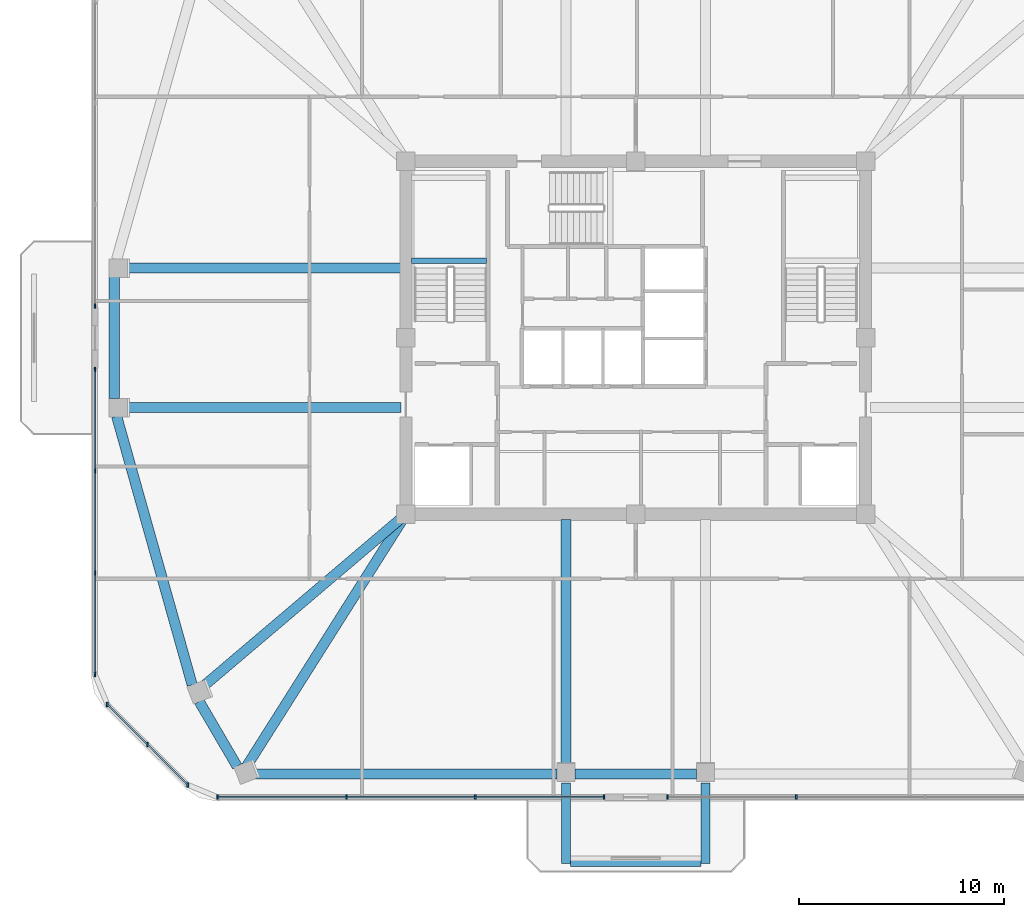
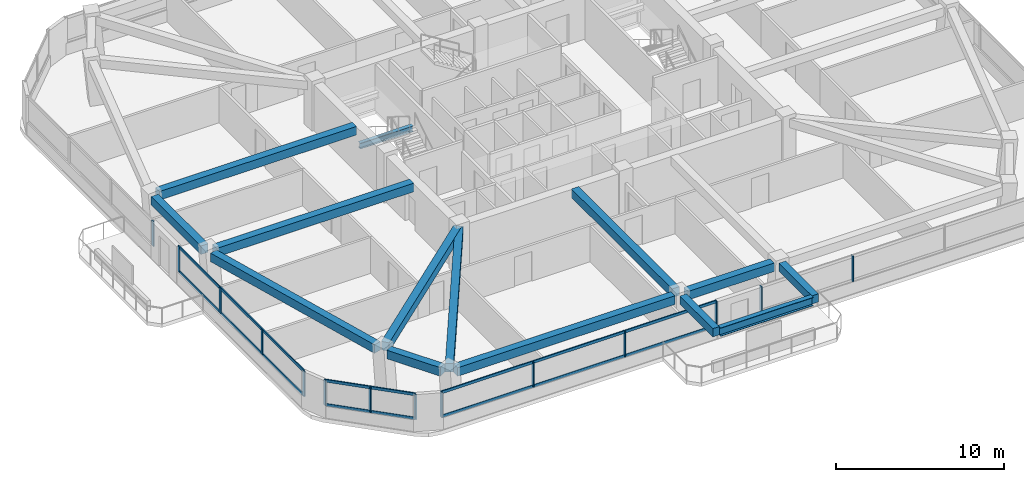
# One storey, part 2 of 13: 20 members, 14 beams, 5 elements without a shape of their own.
"""IFC4 building model written with IfcOpenShell, lengths in metres."""

import ifcopenshell
import ifcopenshell.guid

model = None  # the IFC model being written
_history = None  # IfcOwnerHistory: only IFC2X3 demands one
_inside = {}  # id of a spatial element -> (the spatial element, [elements in it])
_under = {}  # id of a project, library or spatial element -> (it, [spatial elements below it])
_declared = {}  # id of a project -> (the project, [libraries it declares])
_typed = {}  # id of a type object -> (the type object, [elements of that type])
_made_of = {}  # id of a material, layer set ... -> (it, [elements and type objects made of it])


def new_model(schema):
    """Start an empty IFC model of exactly this schema.

    Asked for "IFC4X3", IfcOpenShell would pick the latest addendum, in which some entities
    have other attributes; the version numbers below select the first issue.
    IFC2X3 requires an IfcOwnerHistory on every rooted entity: one is made here for all.
    """
    global model, _history
    if schema == "IFC4X3":
        model = ifcopenshell.file(schema_version=(4, 3, 0, 0))
    else:
        model = ifcopenshell.file(schema=schema)
    _inside.clear()
    _under.clear()
    _declared.clear()
    _typed.clear()
    _made_of.clear()
    _history = None
    if model.schema == "IFC2X3":
        org = make("IfcOrganization", Name="unknown")
        user = make(
            "IfcPersonAndOrganization",
            ThePerson=make("IfcPerson", FamilyName="unknown"),
            TheOrganization=org,
        )
        app = make(
            "IfcApplication",
            ApplicationDeveloper=org,
            Version="unknown",
            ApplicationFullName="unknown",
            ApplicationIdentifier="unknown",
        )
        _history = make(
            "IfcOwnerHistory",
            OwningUser=user,
            OwningApplication=app,
            ChangeAction="ADDED",
            CreationDate=0,
        )
    return model


def make(cls, **values):
    """One entity of the class cls with the attributes given. An attribute that is None is left unset."""
    return model.create_entity(
        cls, **{name: value for name, value in values.items() if value is not None}
    )


def rooted(cls, **values):
    """An entity with a GlobalId (a new one), such as an element, a storey or a relation."""
    return make(cls, GlobalId=ifcopenshell.guid.new(), OwnerHistory=_history, **values)


def si_unit(unit_type, name, prefix=None):
    """IfcSIUnit, for example si_unit("LENGTHUNIT", "METRE", prefix="MILLI")."""
    return make("IfcSIUnit", UnitType=unit_type, Prefix=prefix, Name=name)


def derived_unit(unit_type, elements):
    """IfcDerivedUnit: a product of units, each with its exponent."""
    return make(
        "IfcDerivedUnit",
        Elements=[
            make("IfcDerivedUnitElement", Unit=unit, Exponent=power)
            for unit, power in elements
        ],
        UnitType=unit_type,
    )


def assignment(units):
    """IfcUnitAssignment: the units of a project."""
    return None if units is None else make("IfcUnitAssignment", Units=units)


def point(xyz):
    """IfcCartesianPoint."""
    return None if xyz is None else make("IfcCartesianPoint", Coordinates=xyz)


def direction(xyz):
    """IfcDirection."""
    return None if xyz is None else make("IfcDirection", DirectionRatios=xyz)


def frame(location, z_axis=None, x_axis=None):
    """IfcAxis2Placement3D, a coordinate frame: its origin and axes. An axis left out is left unset."""
    return make(
        "IfcAxis2Placement3D",
        Location=point(location),
        Axis=direction(z_axis),
        RefDirection=direction(x_axis),
    )


def frame_2d(location, x_axis=None):
    """IfcAxis2Placement2D, a coordinate frame in the plane: its origin and x axis."""
    return make(
        "IfcAxis2Placement2D", Location=point(location), RefDirection=direction(x_axis)
    )


def origin():
    """The frame at (0, 0, 0) with its axes left unset."""
    return frame((0.0, 0.0, 0.0))


def origin_2d():
    """The frame at (0, 0) in the plane with its x axis left unset."""
    return frame_2d((0.0, 0.0))


def place(relative_to, where):
    """IfcLocalPlacement: puts the frame where relative to a parent placement (None: the world)."""
    return make(
        "IfcLocalPlacement", PlacementRelTo=relative_to, RelativePlacement=where
    )


def context(
    kind, dimensions, precision=None, world=None, true_north=None, identifier=None
):
    """IfcGeometricRepresentationContext, for example the 3D "Model" context."""
    return make(
        "IfcGeometricRepresentationContext",
        ContextIdentifier=identifier,
        ContextType=kind,
        CoordinateSpaceDimension=dimensions,
        Precision=precision,
        WorldCoordinateSystem=world,
        TrueNorth=true_north,
    )


def subcontext(parent, identifier, kind, view, scale=None):
    """IfcGeometricRepresentationSubContext, for example "Body" below "Model"."""
    return make(
        "IfcGeometricRepresentationSubContext",
        ContextIdentifier=identifier,
        ContextType=kind,
        ParentContext=parent,
        TargetScale=scale,
        TargetView=view,
    )


def project(units=None, contexts=None):
    """IfcProject with its units and contexts."""
    return rooted(
        "IfcProject",
        Name="project",
        RepresentationContexts=contexts,
        UnitsInContext=assignment(units),
    )


def spatial(cls, under=None, at=None, **own):
    """A site, building, storey or space (cls), placed at a placement, below another one or the project."""
    s = rooted(cls, ObjectPlacement=at, **own)
    if under is not None:
        _under.setdefault(under.id(), (under, []))[1].append(s)
    return s


def profile(cls, at=None, kind="AREA", **sizes):
    """A parametric profile (cls). Its sizes go by their IFC names, for example OverallWidth=200.0."""
    return make(cls, ProfileType=kind, Position=at, **sizes)


def rectangle(**sizes):
    """IfcRectangleProfileDef."""
    return profile("IfcRectangleProfileDef", **sizes)


def i_section(**sizes):
    """IfcIShapeProfileDef."""
    return profile("IfcIShapeProfileDef", **sizes)


def extrude(swept, where, along, depth):
    """IfcExtrudedAreaSolid: the profile swept, set in the frame where, extruded along a direction by depth."""
    return make(
        "IfcExtrudedAreaSolid",
        SweptArea=swept,
        Position=where,
        ExtrudedDirection=direction(along),
        Depth=depth,
    )


def shape(context_of_items, identifier, shape_type, items):
    """IfcShapeRepresentation: the items that make up one representation, for example the "Body"."""
    return make(
        "IfcShapeRepresentation",
        ContextOfItems=context_of_items,
        RepresentationIdentifier=identifier,
        RepresentationType=shape_type,
        Items=items,
    )


def material(Name=None, Category=None):
    """IfcMaterial."""
    return make("IfcMaterial", Name=Name, Category=Category)


def material_profile(
    of_material, cross_section, Name=None, Category=None, Priority=None
):
    """IfcMaterialProfile: a cross section and its material."""
    return make(
        "IfcMaterialProfile",
        Name=Name,
        Material=of_material,
        Profile=cross_section,
        Priority=Priority,
        Category=Category,
    )


def profile_set(profiles, Name=None, composite=None):
    """IfcMaterialProfileSet."""
    return make(
        "IfcMaterialProfileSet",
        Name=Name,
        MaterialProfiles=profiles,
        CompositeProfile=composite,
    )


def made_of(thing, what):
    """Note that an element or type object is made of a material, layer set ...; save() writes the relation."""
    if what is not None:
        _made_of.setdefault(what.id(), (what, []))[1].append(thing)
    return thing


def type_object(cls, material=None, **own):
    """A type object (cls), such as IfcWallType, which elements share."""
    return made_of(rooted(cls, **own), material)


def element(
    cls,
    number,
    at=None,
    inside=None,
    cuts=None,
    type_object=None,
    material=None,
    context=None,
    identifier="Body",
    shape_type=None,
    held_by="IfcProductDefinitionShape",
    body=None,
    shapes=None,
    **own,
):
    """One element of the class cls, such as IfcWall. Its Tag is "e" and its number.

    at: its placement. inside: the storey or other place that contains it. cuts: it is an
    opening in that element (IfcRelVoidsElement). A single representation is given by context,
    identifier, shape_type and body (its items); several are given by shapes. held_by: the class
    of the entity that holds the representations. save() writes the other relations.
    """
    e = rooted(cls, Tag="e%d" % number, ObjectPlacement=at, **own)
    if body is not None:
        shapes = [shape(context, identifier, shape_type, body)]
    if shapes is not None:
        e.Representation = make(held_by, Representations=shapes)
    if inside is not None:
        _inside.setdefault(inside.id(), (inside, []))[1].append(e)
    if cuts is not None:
        rooted(
            "IfcRelVoidsElement", RelatingBuildingElement=cuts, RelatedOpeningElement=e
        )
    if type_object is not None:
        _typed.setdefault(type_object.id(), (type_object, []))[1].append(e)
    return made_of(e, material)


def aggregate(whole, parts):
    """IfcRelAggregates: a whole, such as a stair, and the parts it consists of."""
    return rooted("IfcRelAggregates", RelatingObject=whole, RelatedObjects=parts)


def save(model, path):
    """Write the relations noted so far, then the file.

    IfcRelAggregates (storeys below a building ...), IfcRelContainedInSpatialStructure (elements
    in a storey), IfcRelDefinesByType, IfcRelAssociatesMaterial and IfcRelDeclares: one each for
    every whole, place, type object, material and project.
    """
    for whole, parts in _under.values():
        aggregate(whole, parts)
    for where, things in _inside.values():
        rooted(
            "IfcRelContainedInSpatialStructure",
            RelatedElements=things,
            RelatingStructure=where,
        )
    for kind, things in _typed.values():
        rooted("IfcRelDefinesByType", RelatedObjects=things, RelatingType=kind)
    for what, things in _made_of.values():
        rooted("IfcRelAssociatesMaterial", RelatedObjects=things, RelatingMaterial=what)
    for by, libraries in _declared.values():
        rooted("IfcRelDeclares", RelatingContext=by, RelatedDefinitions=libraries)
    model.write(path)


model = new_model("IFC4")

# Units and contexts
model_context = context("Model", 3, precision=1e-05, world=origin(), true_north=direction((0.0, 1.0)))
body_context = subcontext(model_context, "Body", "Model", "MODEL_VIEW")
ifc_project = project(units=[si_unit("LENGTHUNIT", "METRE"), si_unit("AREAUNIT", "SQUARE_METRE"), si_unit("VOLUMEUNIT", "CUBIC_METRE"), si_unit("PLANEANGLEUNIT", "RADIAN"), si_unit("MASSUNIT", "GRAM", prefix="KILO"), derived_unit("THERMALTRANSMITTANCEUNIT", [(si_unit("POWERUNIT", "WATT"), 1), (si_unit("LENGTHUNIT", "METRE"), -2), (si_unit("THERMODYNAMICTEMPERATUREUNIT", "KELVIN"), -1)])], contexts=[model_context])

# Site, building, storey
site_placement = place(None, origin())
site = spatial("IfcSite", under=ifc_project, at=site_placement, CompositionType="ELEMENT")
building_placement = place(site_placement, origin())
building = spatial("IfcBuilding", under=site, at=building_placement, Name="Koralith Skygarden Medical Center", CompositionType="ELEMENT")
storey_placement = place(building_placement, frame((0.0, 0.0, 214.3798828125)))
storey = spatial("IfcBuildingStorey", under=building, at=storey_placement, Name="L55", CompositionType="ELEMENT", Elevation=214.3798828125)

# Curtain wall, members
ifc_material_1 = material(Name="Clear Laminated Glass", Category="glass")
curtain_wall_type = type_object("IfcCurtainWallType", Name="CW-5 Zone 4 Flare Biophilic Curtain Wall", PredefinedType="NOTDEFINED", material=ifc_material_1)
curtain_wall_1_placement = place(storey_placement, origin())
curtain_wall_1 = element("IfcCurtainWall", 1, at=curtain_wall_1_placement, inside=storey, type_object=curtain_wall_type, Name="Curtain Wall CW-L55-S-L", PredefinedType="NOTDEFINED")
ifc_material_2 = material(Name="Aluminium 6063-T6", Category="aluminium")
ifc_material_profile_1 = material_profile(ifc_material_2, rectangle(XDim=0.080078125, YDim=0.219970703125, at=origin_2d()), Name="MUL80X220")
ifc_profile_set_1 = profile_set([ifc_material_profile_1], Name="Aluminium 6063-T6")
member_type_1 = type_object("IfcMemberType", Name="CW-5 Extruded Mullion 80x220", PredefinedType="MULLION", material=ifc_profile_set_1)
member_1_placement = place(storey_placement, frame((16.617919921875, 3.510986328125, 0.85009765625), z_axis=(0.0, 0.0, 1.0), x_axis=(1.0, 0.0, 0.0)))
member_1 = element("IfcMember", 2, at=member_1_placement, type_object=member_type_1, Name="CW-L55-S-L Mullion 1", PredefinedType="MULLION", context=body_context, shape_type="SweptSolid", body=[
    extrude(rectangle(XDim=0.080078125, YDim=0.219970703125, at=origin_2d()), origin(), (0.0, 0.0, 1.0), 1.840087890625),
])
member_2_placement = place(storey_placement, frame((22.89794921875, 3.510986328125, 0.85009765625), z_axis=(0.0, 0.0, 1.0), x_axis=(1.0, 0.0, 0.0)))
member_2 = element("IfcMember", 3, at=member_2_placement, type_object=member_type_1, Name="CW-L55-S-L Mullion 2", PredefinedType="MULLION", context=body_context, shape_type="SweptSolid", body=[
    extrude(rectangle(XDim=0.080078125, YDim=0.219970703125, at=origin_2d()), origin(), (0.0, 0.0, 1.0), 1.840087890625),
])
member_3_placement = place(storey_placement, frame((29.178955078125, 3.510986328125, 0.85009765625), z_axis=(0.0, 0.0, 1.0), x_axis=(1.0, 0.0, 0.0)))
member_3 = element("IfcMember", 4, at=member_3_placement, type_object=member_type_1, Name="CW-L55-S-L Mullion 3", PredefinedType="MULLION", context=body_context, shape_type="SweptSolid", body=[
    extrude(rectangle(XDim=0.080078125, YDim=0.219970703125, at=origin_2d()), origin(), (0.0, 0.0, 1.0), 1.840087890625),
])
member_4_placement = place(storey_placement, frame((35.458984375, 3.510986328125, 0.85009765625), z_axis=(0.0, 0.0, 1.0), x_axis=(1.0, 0.0, 0.0)))
member_4 = element("IfcMember", 5, at=member_4_placement, type_object=member_type_1, Name="CW-L55-S-L Mullion 4", PredefinedType="MULLION", context=body_context, shape_type="SweptSolid", body=[
    extrude(rectangle(XDim=0.080078125, YDim=0.219970703125, at=origin_2d()), origin(), (0.0, 0.0, 1.0), 1.840087890625),
])

curtain_wall_2_placement = place(storey_placement, origin())
curtain_wall_2 = element("IfcCurtainWall", 6, at=curtain_wall_2_placement, inside=storey, type_object=curtain_wall_type, Name="Curtain Wall CW-L55-S-R", PredefinedType="NOTDEFINED")
member_5_placement = place(storey_placement, frame((38.5390625, 3.510986328125, 0.85009765625), z_axis=(0.0, 0.0, 1.0), x_axis=(1.0, 0.0, 0.0)))
member_5 = element("IfcMember", 7, at=member_5_placement, type_object=member_type_1, Name="CW-L55-S-R Mullion 1", PredefinedType="MULLION", context=body_context, shape_type="SweptSolid", body=[
    extrude(rectangle(XDim=0.080078125, YDim=0.219970703125, at=origin_2d()), origin(), (0.0, 0.0, 1.0), 1.840087890625),
])
member_6_placement = place(storey_placement, frame((44.820068359375, 3.510986328125, 0.85009765625), z_axis=(0.0, 0.0, 1.0), x_axis=(1.0, 0.0, 0.0)))
member_6 = element("IfcMember", 8, at=member_6_placement, type_object=member_type_1, Name="CW-L55-S-R Mullion 2", PredefinedType="MULLION", context=body_context, shape_type="SweptSolid", body=[
    extrude(rectangle(XDim=0.080078125, YDim=0.219970703125, at=origin_2d()), origin(), (0.0, 0.0, 1.0), 1.840087890625),
])
aggregate(curtain_wall_2, [member_5, member_6])

# Curtain wall, member
curtain_wall_3_placement = place(storey_placement, origin())
curtain_wall_3 = element("IfcCurtainWall", 9, at=curtain_wall_3_placement, inside=storey, type_object=curtain_wall_type, Name="Curtain Wall CW-L55-W-L", PredefinedType="NOTDEFINED")
member_7_placement = place(storey_placement, frame((10.64306640625, 27.43994140625, 0.85009765625), z_axis=(0.0, 0.0, 1.0), x_axis=(1.0, 0.0, 0.0)))
member_7 = element("IfcMember", 10, at=member_7_placement, type_object=member_type_1, Name="CW-L55-W-L Mullion 4", PredefinedType="MULLION", context=body_context, shape_type="SweptSolid", body=[
    extrude(rectangle(XDim=0.080078125, YDim=0.219970703125, at=origin_2d()), origin(), (0.0, 0.0, 1.0), 1.840087890625),
])
aggregate(curtain_wall_3, [member_7])

# Curtain wall, members
curtain_wall_4_placement = place(storey_placement, origin())
curtain_wall_4 = element("IfcCurtainWall", 11, at=curtain_wall_4_placement, inside=storey, type_object=curtain_wall_type, Name="Curtain Wall CW-L55-W-R", PredefinedType="NOTDEFINED")
member_8_placement = place(storey_placement, frame((10.64306640625, 24.360107421875, 0.85009765625), z_axis=(0.0, 0.0, 1.0), x_axis=(1.0, 0.0, 0.0)))
member_8 = element("IfcMember", 12, at=member_8_placement, type_object=member_type_1, Name="CW-L55-W-R Mullion 1", PredefinedType="MULLION", context=body_context, shape_type="SweptSolid", body=[
    extrude(rectangle(XDim=0.080078125, YDim=0.219970703125, at=origin_2d()), origin(), (0.0, 0.0, 1.0), 1.840087890625),
])
member_9_placement = place(storey_placement, frame((10.64306640625, 19.402099609375, 0.85009765625), z_axis=(0.0, 0.0, 1.0), x_axis=(1.0, 0.0, 0.0)))
member_9 = element("IfcMember", 13, at=member_9_placement, type_object=member_type_1, Name="CW-L55-W-R Mullion 2", PredefinedType="MULLION", context=body_context, shape_type="SweptSolid", body=[
    extrude(rectangle(XDim=0.080078125, YDim=0.219970703125, at=origin_2d()), origin(), (0.0, 0.0, 1.0), 1.840087890625),
])
member_10_placement = place(storey_placement, frame((10.64306640625, 14.445068359375, 0.85009765625), z_axis=(0.0, 0.0, 1.0), x_axis=(1.0, 0.0, 0.0)))
member_10 = element("IfcMember", 14, at=member_10_placement, type_object=member_type_1, Name="CW-L55-W-R Mullion 3", PredefinedType="MULLION", context=body_context, shape_type="SweptSolid", body=[
    extrude(rectangle(XDim=0.080078125, YDim=0.219970703125, at=origin_2d()), origin(), (0.0, 0.0, 1.0), 1.840087890625),
])
member_11_placement = place(storey_placement, frame((10.64306640625, 9.487060546875, 0.85009765625), z_axis=(0.0, 0.0, 1.0), x_axis=(1.0, 0.0, 0.0)))
member_11 = element("IfcMember", 15, at=member_11_placement, type_object=member_type_1, Name="CW-L55-W-R Mullion 4", PredefinedType="MULLION", context=body_context, shape_type="SweptSolid", body=[
    extrude(rectangle(XDim=0.080078125, YDim=0.219970703125, at=origin_2d()), origin(), (0.0, 0.0, 1.0), 1.840087890625),
])

curtain_wall_5_placement = place(storey_placement, origin())
curtain_wall_5 = element("IfcCurtainWall", 16, at=curtain_wall_5_placement, inside=storey, type_object=curtain_wall_type, Name="Curtain Wall CW-L55-SW", PredefinedType="NOTDEFINED")
member_12_placement = place(storey_placement, frame((11.243896484375, 8.035888671875, 0.85009765625), z_axis=(0.0, 0.0, 1.0), x_axis=(1.0, 0.0, 0.0)))
member_12 = element("IfcMember", 17, at=member_12_placement, type_object=member_type_1, Name="CW-L55-SW Mullion 1", PredefinedType="MULLION", context=body_context, shape_type="SweptSolid", body=[
    extrude(rectangle(XDim=0.080078125, YDim=0.219970703125, at=origin_2d()), origin(), (0.0, 0.0, 1.0), 1.840087890625),
])
member_13_placement = place(storey_placement, frame((13.2060546875, 6.074951171875, 0.85009765625), z_axis=(0.0, 0.0, 1.0), x_axis=(1.0, 0.0, 0.0)))
member_13 = element("IfcMember", 18, at=member_13_placement, type_object=member_type_1, Name="CW-L55-SW Mullion 2", PredefinedType="MULLION", context=body_context, shape_type="SweptSolid", body=[
    extrude(rectangle(XDim=0.080078125, YDim=0.219970703125, at=origin_2d()), origin(), (0.0, 0.0, 1.0), 1.840087890625),
])
member_14_placement = place(storey_placement, frame((15.1669921875, 4.113037109375, 0.85009765625), z_axis=(0.0, 0.0, 1.0), x_axis=(1.0, 0.0, 0.0)))
member_14 = element("IfcMember", 19, at=member_14_placement, type_object=member_type_1, Name="CW-L55-SW Mullion 3", PredefinedType="MULLION", context=body_context, shape_type="SweptSolid", body=[
    extrude(rectangle(XDim=0.080078125, YDim=0.219970703125, at=origin_2d()), origin(), (0.0, 0.0, 1.0), 1.840087890625),
])

# Member
ifc_material_profile_2 = material_profile(ifc_material_2, rectangle(XDim=0.074951171875, YDim=0.197998046875, at=origin_2d()), Name="TRN75X198")
ifc_profile_set_2 = profile_set([ifc_material_profile_2], Name="Aluminium 6063-T6")
member_type_2 = type_object("IfcMemberType", Name="CW-5 Thermal Transom 75x198", PredefinedType="USERDEFINED", material=ifc_profile_set_2)
member_15_placement = place(storey_placement, frame((16.617919921875, 3.510986328125, 0.900146484375), z_axis=(1.0, 0.0, 0.0), x_axis=(0.0, 1.0, 0.0)))
member_15 = element("IfcMember", 20, at=member_15_placement, type_object=member_type_2, Name="CW-L55-S-L Transom 1", ObjectType="TRANSOM", PredefinedType="USERDEFINED", context=body_context, shape_type="SweptSolid", body=[
    extrude(rectangle(XDim=0.074951171875, YDim=0.197998046875, at=origin_2d()), origin(), (0.0, 0.0, 1.0), 18.841064453125),
])

member_16_placement = place(storey_placement, frame((16.617919921875, 3.510986328125, 2.64013671875), z_axis=(1.0, 0.0, 0.0), x_axis=(0.0, 1.0, 0.0)))
member_16 = element("IfcMember", 21, at=member_16_placement, type_object=member_type_2, Name="CW-L55-S-L Transom 2", ObjectType="TRANSOM", PredefinedType="USERDEFINED", context=body_context, shape_type="SweptSolid", body=[
    extrude(rectangle(XDim=0.074951171875, YDim=0.197998046875, at=origin_2d()), origin(), (0.0, 0.0, 1.0), 18.841064453125),
])

aggregate(curtain_wall_1, [member_1, member_2, member_3, member_4, member_15, member_16])

member_17_placement = place(storey_placement, frame((10.64306640625, 24.360107421875, 0.900146484375), z_axis=(0.0, -1.0, 0.0), x_axis=(1.0, 0.0, 0.0)))
member_17 = element("IfcMember", 22, at=member_17_placement, type_object=member_type_2, Name="CW-L55-W-R Transom 1", ObjectType="TRANSOM", PredefinedType="USERDEFINED", context=body_context, shape_type="SweptSolid", body=[
    extrude(rectangle(XDim=0.074951171875, YDim=0.197998046875, at=origin_2d()), origin(), (0.0, 0.0, 1.0), 14.873046875),
])

member_18_placement = place(storey_placement, frame((10.64306640625, 24.360107421875, 2.64013671875), z_axis=(0.0, -1.0, 0.0), x_axis=(1.0, 0.0, 0.0)))
member_18 = element("IfcMember", 23, at=member_18_placement, type_object=member_type_2, Name="CW-L55-W-R Transom 2", ObjectType="TRANSOM", PredefinedType="USERDEFINED", context=body_context, shape_type="SweptSolid", body=[
    extrude(rectangle(XDim=0.074951171875, YDim=0.197998046875, at=origin_2d()), origin(), (0.0, 0.0, 1.0), 14.873046875),
])

aggregate(curtain_wall_4, [member_8, member_9, member_10, member_11, member_17, member_18])

member_19_placement = place(storey_placement, frame((11.243896484375, 8.035888671875, 0.900146484375), z_axis=(0.707128783731, -0.707084777957, 0.0), x_axis=(0.707084777957, 0.707128783731, 0.0)))
member_19 = element("IfcMember", 24, at=member_19_placement, type_object=member_type_2, Name="CW-L55-SW Transom 1", ObjectType="TRANSOM", PredefinedType="USERDEFINED", context=body_context, shape_type="SweptSolid", body=[
    extrude(rectangle(XDim=0.074951171875, YDim=0.197998046875, at=origin_2d()), origin(), (0.0, 0.0, 1.0), 5.5478515625),
])

member_20_placement = place(storey_placement, frame((11.243896484375, 8.035888671875, 2.64013671875), z_axis=(0.707128783731, -0.707084777957, 0.0), x_axis=(0.707084777957, 0.707128783731, 0.0)))
member_20 = element("IfcMember", 25, at=member_20_placement, type_object=member_type_2, Name="CW-L55-SW Transom 2", ObjectType="TRANSOM", PredefinedType="USERDEFINED", context=body_context, shape_type="SweptSolid", body=[
    extrude(rectangle(XDim=0.074951171875, YDim=0.197998046875, at=origin_2d()), origin(), (0.0, 0.0, 1.0), 5.5478515625),
])

aggregate(curtain_wall_5, [member_12, member_13, member_14, member_19, member_20])

# Beams
ifc_material_3 = material(Name="Steel ASTM A992 Grade 50", Category="steel")
ifc_material_profile_3 = material_profile(ifc_material_3, i_section(OverallWidth=0.326904296875, OverallDepth=0.6220703125, WebThickness=0.015380859375, FlangeThickness=0.0244140625, at=origin_2d()), Name="W24X131")
ifc_profile_set_3 = profile_set([ifc_material_profile_3], Name="Steel ASTM A992 Grade 50")
beam_type_1 = type_object("IfcBeamType", Name="Cantilever Tie Beam W24X131", PredefinedType="BEAM", material=ifc_profile_set_3)
beam_1_placement = place(storey_placement, frame((33.820068359375, 0.285888671875, 3.029052734375), z_axis=(1.0, 0.0, 0.0), x_axis=(0.0, 1.0, 0.0)))
element("IfcBeam", 26, at=beam_1_placement, inside=storey, type_object=beam_type_1, Name="L56 S Balcony Tip Tie Beam", PredefinedType="BEAM", context=body_context, shape_type="SweptSolid", body=[
    extrude(i_section(OverallWidth=0.326904296875, OverallDepth=0.6220703125, WebThickness=0.015380859375, FlangeThickness=0.0244140625, at=origin_2d()), origin(), (0.0, 0.0, 1.0), 6.35986328125),
])
ifc_material_profile_4 = material_profile(ifc_material_3, i_section(OverallWidth=0.260009765625, OverallDepth=0.4150390625, WebThickness=0.010009765625, FlangeThickness=0.016845703125, at=origin_2d()), Name="W16X67")
ifc_profile_set_4 = profile_set([ifc_material_profile_4], Name="Steel ASTM A992 Grade 50")
beam_type_2 = type_object("IfcBeamType", Name="Clinical Floor Joist W16X67", PredefinedType="JOIST", material=ifc_profile_set_4)
beam_2_placement = place(storey_placement, frame((26.080078125, 29.659912109375, 1.39306640625), z_axis=(1.0, 0.0, 0.0), x_axis=(0.0, 1.0, 0.0)))
element("IfcBeam", 27, at=beam_2_placement, inside=storey, type_object=beam_type_2, Name="L55 Stair ST1 Half-Landing Support Beam 1A", PredefinedType="JOIST", context=body_context, shape_type="SweptSolid", body=[
    extrude(i_section(OverallWidth=0.260009765625, OverallDepth=0.4150390625, WebThickness=0.010009765625, FlangeThickness=0.016845703125, at=origin_2d()), origin(), (0.0, 0.0, 1.0), 3.639892578125),
])
ifc_material_4 = material(Name="Concrete C45/55", Category="concrete")
ifc_material_profile_5 = material_profile(ifc_material_4, rectangle(XDim=0.449951171875, YDim=0.60009765625, at=origin_2d()), Name="RCB450X600")
ifc_profile_set_5 = profile_set([ifc_material_profile_5], Name="Concrete C45/55")
beam_type_3 = type_object("IfcBeamType", Name="Planted Balcony Cantilever Beam RCB450X600", PredefinedType="BEAM", material=ifc_profile_set_5)
for number, where, z_axis, x_axis, name in (
    (28, (33.60009765625, 4.2060546875, 3.0400390625), (0.0, -1.0, 0.0), (1.0, 0.0, 0.0), "L56 S Balcony Cantilever Beam A"),
    (29, (40.39990234375, 4.2060546875, 3.0400390625), (0.0, -1.0, 0.0), (1.0, 0.0, 0.0), "L56 S Balcony Cantilever Beam B"),
):
    element("IfcBeam", number, at=place(storey_placement, frame(where, z_axis=z_axis, x_axis=x_axis)), inside=storey, type_object=beam_type_3, Name=name, PredefinedType="BEAM", context=body_context, shape_type="SweptSolid", body=[
        extrude(rectangle(XDim=0.449951171875, YDim=0.60009765625, at=origin_2d()), origin(), (0.0, 0.0, 1.0), 3.920166015625),
    ])
ifc_material_profile_6 = material_profile(ifc_material_4, rectangle(XDim=0.5, YDim=0.6201171875, at=origin_2d()), Name="RCB500X620")
ifc_profile_set_6 = profile_set([ifc_material_profile_6], Name="Concrete C45/55")
beam_type_4 = type_object("IfcBeamType", Name="Upper Radial Collector Beam RCB500X620", PredefinedType="BEAM", material=ifc_profile_set_6)
beam_3_placement = place(storey_placement, frame((25.550048828125, 22.5, 3.010009765625), z_axis=(-1.0, 0.0, 0.0), x_axis=(0.0, -1.0, 0.0)))
element("IfcBeam", 30, at=beam_3_placement, inside=storey, type_object=beam_type_4, Name="L55 Radial Collector Beam RB-01", PredefinedType="BEAM", context=body_context, shape_type="SweptSolid", body=[
    extrude(rectangle(XDim=0.5, YDim=0.6201171875, at=origin_2d()), origin(), (0.0, 0.0, 1.0), 13.529052734375),
])
beam_4_placement = place(storey_placement, frame((25.60888671875, 17.137939453125, 3.010009765625), z_axis=(-0.762329179737, -0.647189478995, 0.0), x_axis=(0.647189478995, -0.762329179737, 0.0)))
element("IfcBeam", 31, at=beam_4_placement, inside=storey, type_object=beam_type_4, Name="L55 Radial Collector Beam RB-02", PredefinedType="BEAM", context=body_context, shape_type="SweptSolid", body=[
    extrude(rectangle(XDim=0.5, YDim=0.6201171875, at=origin_2d()), origin(), (0.0, 0.0, 1.0), 12.81982421875),
])
beam_5_placement = place(storey_placement, frame((25.666015625, 17.089111328125, 3.010009765625), z_axis=(-0.53443183761, -0.845211577624, 0.0), x_axis=(0.845211577624, -0.53443183761, 0.0)))
element("IfcBeam", 32, at=beam_5_placement, inside=storey, type_object=beam_type_4, Name="L55 Radial Collector Beam RB-03", PredefinedType="BEAM", context=body_context, shape_type="SweptSolid", body=[
    extrude(rectangle(XDim=0.5, YDim=0.6201171875, at=origin_2d()), origin(), (0.0, 0.0, 1.0), 14.29345703125),
])
beam_6_placement = place(storey_placement, frame((33.60009765625, 17.050048828125, 3.010009765625), z_axis=(0.0, -1.0, 0.0), x_axis=(1.0, 0.0, 0.0)))
element("IfcBeam", 33, at=beam_6_placement, inside=storey, type_object=beam_type_4, Name="L55 Radial Collector Beam RB-04", PredefinedType="BEAM", context=body_context, shape_type="SweptSolid", body=[
    extrude(rectangle(XDim=0.5, YDim=0.6201171875, at=origin_2d()), origin(), (0.0, 0.0, 1.0), 11.97412109375),
])
beam_7_placement = place(storey_placement, frame((25.550048828125, 29.300048828125, 3.010009765625), z_axis=(-1.0, 0.0, 0.0), x_axis=(0.0, -1.0, 0.0)))
element("IfcBeam", 34, at=beam_7_placement, inside=storey, type_object=beam_type_4, Name="L55 Radial Collector Beam RB-16", PredefinedType="BEAM", context=body_context, shape_type="SweptSolid", body=[
    extrude(rectangle(XDim=0.5, YDim=0.6201171875, at=origin_2d()), origin(), (0.0, 0.0, 1.0), 13.529052734375),
])
ifc_material_profile_7 = material_profile(ifc_material_4, rectangle(XDim=0.5, YDim=0.6201171875, at=origin_2d()), Name="RCB500X620")
ifc_profile_set_7 = profile_set([ifc_material_profile_7], Name="Concrete C45/55")
beam_type_5 = type_object("IfcBeamType", Name="Zone 4-5 Spandrel Beam RCB500X620", PredefinedType="SPANDREL", material=ifc_profile_set_7)
beam_8_placement = place(storey_placement, frame((11.699951171875, 22.075927734375, 3.010009765625), z_axis=(0.270670216723, -0.962672132026, 0.0), x_axis=(0.962672132026, 0.270670216723, 0.0)))
element("IfcBeam", 35, at=beam_8_placement, inside=storey, type_object=beam_type_5, Name="L55 Perimeter Spandrel Beam SP-01", PredefinedType="SPANDREL", context=body_context, shape_type="SweptSolid", body=[
    extrude(rectangle(XDim=0.5, YDim=0.6201171875, at=origin_2d()), origin(), (0.0, 0.0, 1.0), 13.603759765625),
])
beam_9_placement = place(storey_placement, frame((15.722900390625, 8.176025390625, 3.010009765625), z_axis=(0.504662936205, -0.863316466205, 0.0), x_axis=(0.863316466205, 0.504662936205, 0.0)))
element("IfcBeam", 36, at=beam_9_placement, inside=storey, type_object=beam_type_5, Name="L55 Perimeter Spandrel Beam SP-02", PredefinedType="SPANDREL", context=body_context, shape_type="SweptSolid", body=[
    extrude(rectangle(XDim=0.5, YDim=0.6201171875, at=origin_2d()), origin(), (0.0, 0.0, 1.0), 3.66015625),
])
beam_10_placement = place(storey_placement, frame((18.23193359375, 4.635986328125, 3.010009765625), z_axis=(1.0, 0.0, 0.0), x_axis=(0.0, 1.0, 0.0)))
element("IfcBeam", 37, at=beam_10_placement, inside=storey, type_object=beam_type_5, Name="L55 Perimeter Spandrel Beam SP-03", PredefinedType="SPANDREL", context=body_context, shape_type="SweptSolid", body=[
    extrude(rectangle(XDim=0.5, YDim=0.6201171875, at=origin_2d()), origin(), (0.0, 0.0, 1.0), 14.927978515625),
])
beam_11_placement = place(storey_placement, frame((34.0400390625, 4.635986328125, 3.010009765625), z_axis=(1.0, 0.0, 0.0), x_axis=(0.0, 1.0, 0.0)))
element("IfcBeam", 38, at=beam_11_placement, inside=storey, type_object=beam_type_5, Name="L55 Perimeter Spandrel Beam SP-04", PredefinedType="SPANDREL", context=body_context, shape_type="SweptSolid", body=[
    extrude(rectangle(XDim=0.5, YDim=0.6201171875, at=origin_2d()), origin(), (0.0, 0.0, 1.0), 5.919921875),
])
beam_12_placement = place(storey_placement, frame((11.5810546875, 28.860107421875, 3.010009765625), z_axis=(0.0, -1.0, 0.0), x_axis=(1.0, 0.0, 0.0)))
element("IfcBeam", 39, at=beam_12_placement, inside=storey, type_object=beam_type_5, Name="L55 Perimeter Spandrel Beam SP-16", PredefinedType="SPANDREL", context=body_context, shape_type="SweptSolid", body=[
    extrude(rectangle(XDim=0.5, YDim=0.6201171875, at=origin_2d()), origin(), (0.0, 0.0, 1.0), 5.920166015625),
])

save(model, "model.ifc")
